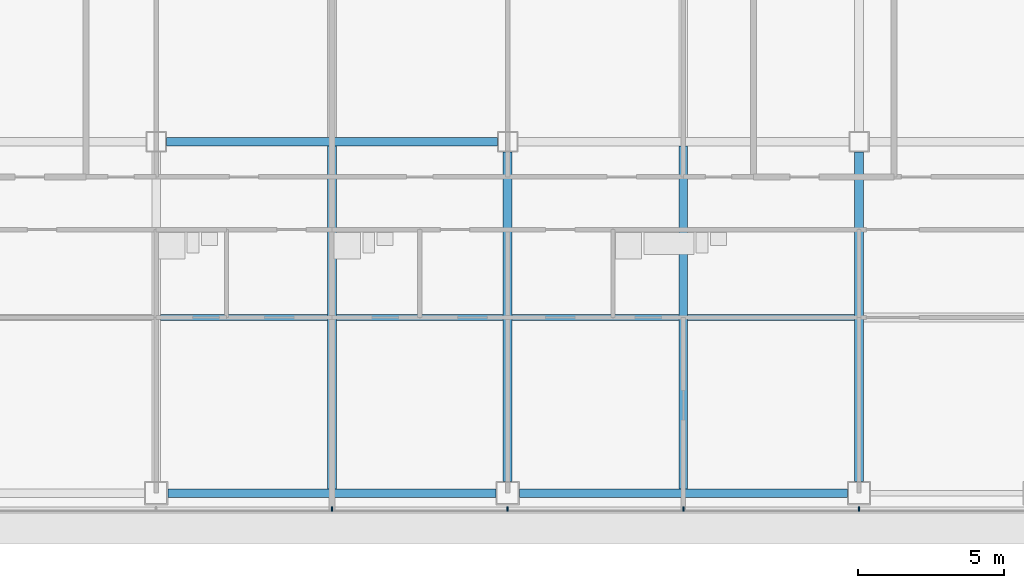
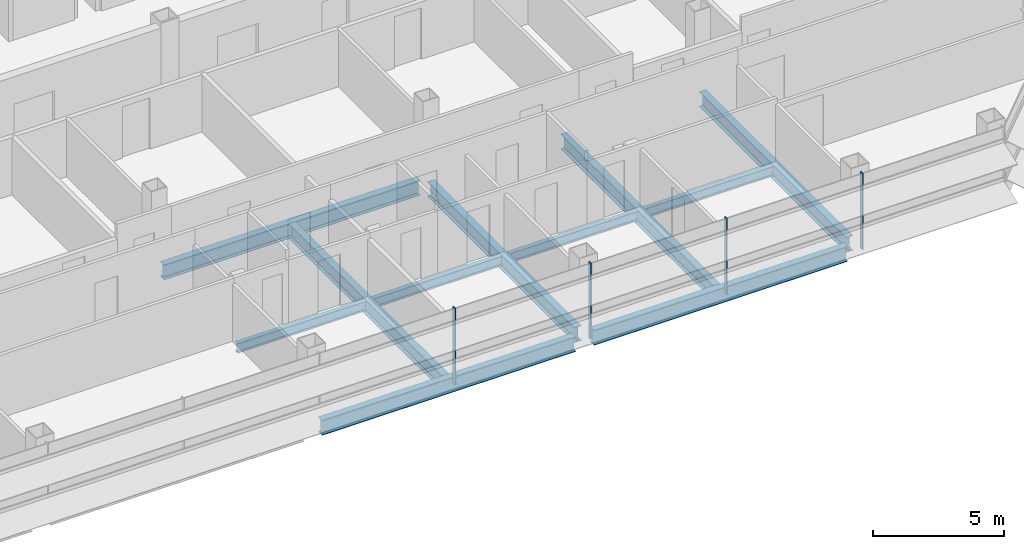
# One storey, part 8 of 26: 11 beams, 4 members, 1 element without a shape of its own.
"""IFC4 building model written with IfcOpenShell, lengths in metres."""

from ifc_helpers import new_model, si_unit, direction, frame, origin, origin_2d, place, context, subcontext, project, spatial, rectangle, i_section, extrude, material, material_profile, profile_set, type_object, element, aggregate, save


model = new_model("IFC4")

# Units and contexts
model_context = context("Model", 3, precision=1e-05, world=origin(), true_north=direction((0.0, 1.0)))
body_context = subcontext(model_context, "Body", "Model", "MODEL_VIEW")
ifc_project = project(units=[si_unit("LENGTHUNIT", "METRE"), si_unit("AREAUNIT", "SQUARE_METRE"), si_unit("VOLUMEUNIT", "CUBIC_METRE"), si_unit("PLANEANGLEUNIT", "RADIAN"), si_unit("MASSUNIT", "GRAM", prefix="KILO")], contexts=[model_context])

# Site, building, storey
site_placement = place(None, origin())
site = spatial("IfcSite", under=ifc_project, at=site_placement, CompositionType="ELEMENT")
building_placement = place(site_placement, origin())
building = spatial("IfcBuilding", under=site, at=building_placement, Name="Sorahane Residences", CompositionType="ELEMENT")
storey_placement = place(building_placement, frame((0.0, 0.0, 110.60009765625)))
storey = spatial("IfcBuildingStorey", under=building, at=storey_placement, Name="L24", CompositionType="ELEMENT", Elevation=110.60009765625)

# Curtain wall, members
ifc_material_1 = material(Name="Dark low-e glass and black anodised aluminium", Category="aluminium")
curtain_wall_type = type_object("IfcCurtainWallType", Name="Curtain wall CW-1 Typical unitised wall", PredefinedType="NOTDEFINED", material=ifc_material_1)
curtain_wall_placement = place(storey_placement, origin())
curtain_wall = element("IfcCurtainWall", 1, at=curtain_wall_placement, inside=storey, type_object=curtain_wall_type, Name="CW-1 curtain wall L24 S1", PredefinedType="NOTDEFINED")
ifc_material_2 = material(Name="Black anodised aluminium", Category="aluminium")
ifc_material_profile_1 = material_profile(ifc_material_2, rectangle(XDim=0.159912109375, YDim=0.050048828125, at=origin_2d()), Name="Curtain wall mullion CW-1 black anodised aluminium 50x160")
ifc_profile_set_1 = profile_set([ifc_material_profile_1], Name="Black anodised aluminium")
member_type = type_object("IfcMemberType", Name="Curtain wall mullion CW-1 black anodised aluminium 50x160", PredefinedType="MULLION", material=ifc_profile_set_1)
member_1_placement = place(storey_placement, frame((30.0, -0.5400390625, -0.18017578125), z_axis=(0.0, 0.0, 1.0), x_axis=(0.0, -1.0, 0.0)))
member_1 = element("IfcMember", 2, at=member_1_placement, type_object=member_type, Name="CW-1 mullion L24 S1.6", PredefinedType="MULLION", context=body_context, shape_type="SweptSolid", body=[
    extrude(rectangle(XDim=0.159912109375, YDim=0.050048828125, at=origin_2d()), origin(), (0.0, 0.0, 1.0), 3.56005859375),
])
member_2_placement = place(storey_placement, frame((36.0, -0.5400390625, -0.18017578125), z_axis=(0.0, 0.0, 1.0), x_axis=(0.0, -1.0, 0.0)))
member_2 = element("IfcMember", 3, at=member_2_placement, type_object=member_type, Name="CW-1 mullion L24 S1.7", PredefinedType="MULLION", context=body_context, shape_type="SweptSolid", body=[
    extrude(rectangle(XDim=0.159912109375, YDim=0.050048828125, at=origin_2d()), origin(), (0.0, 0.0, 1.0), 3.56005859375),
])
member_3_placement = place(storey_placement, frame((42.0, -0.5400390625, -0.18017578125), z_axis=(0.0, 0.0, 1.0), x_axis=(0.0, -1.0, 0.0)))
member_3 = element("IfcMember", 4, at=member_3_placement, type_object=member_type, Name="CW-1 mullion L24 S1.8", PredefinedType="MULLION", context=body_context, shape_type="SweptSolid", body=[
    extrude(rectangle(XDim=0.159912109375, YDim=0.050048828125, at=origin_2d()), origin(), (0.0, 0.0, 1.0), 3.56005859375),
])
member_4_placement = place(storey_placement, frame((48.0, -0.5400390625, -0.18017578125), z_axis=(0.0, 0.0, 1.0), x_axis=(0.0, -1.0, 0.0)))
member_4 = element("IfcMember", 5, at=member_4_placement, type_object=member_type, Name="CW-1 mullion L24 S1.9", PredefinedType="MULLION", context=body_context, shape_type="SweptSolid", body=[
    extrude(rectangle(XDim=0.159912109375, YDim=0.050048828125, at=origin_2d()), origin(), (0.0, 0.0, 1.0), 3.56005859375),
])
aggregate(curtain_wall, [member_1, member_2, member_3, member_4])

# Beams
ifc_material_3 = material(Name="Steel Q355B", Category="steel")
ifc_material_profile_2 = material_profile(ifc_material_3, i_section(OverallWidth=0.199951171875, OverallDepth=0.449951171875, WebThickness=0.009033203125, FlangeThickness=0.013916015625, FilletRadius=0.02001953125, at=origin_2d()), Name="HN 450x200x9x14")
ifc_profile_set_2 = profile_set([ifc_material_profile_2], Name="Steel Q355B")
beam_type_1 = type_object("IfcBeamType", Name="Steel floor beam HN 450x200x9x14 Q355B", PredefinedType="BEAM", material=ifc_profile_set_2)
for number, where, z_axis, x_axis, name in (
    (6, (24.14990234375, 6.0, -0.405029296875), (1.0, 0.0, 0.0), (0.0, 1.0, 0.0), "Beam L24 073"),
    (7, (30.14990234375, 6.0, -0.405029296875), (1.0, 0.0, 0.0), (0.0, 1.0, 0.0), "Beam L24 074"),
    (8, (36.14990234375, 6.0, -0.405029296875), (1.0, 0.0, 0.0), (0.0, 1.0, 0.0), "Beam L24 075"),
    (9, (42.14990234375, 6.0, -0.405029296875), (1.0, 0.0, 0.0), (0.0, 1.0, 0.0), "Beam L24 076"),
):
    element("IfcBeam", number, at=place(storey_placement, frame(where, z_axis=z_axis, x_axis=x_axis)), inside=storey, type_object=beam_type_1, Name=name, PredefinedType="BEAM", context=body_context, shape_type="SweptSolid", body=[
        extrude(i_section(OverallWidth=0.199951171875, OverallDepth=0.449951171875, WebThickness=0.009033203125, FlangeThickness=0.013916015625, FilletRadius=0.02001953125, at=origin_2d()), origin(), (0.0, 0.0, 1.0), 5.7001953125),
    ])
ifc_material_4 = material(Name="Steel Q355B", Category="steel")
ifc_material_profile_3 = material_profile(ifc_material_4, i_section(OverallWidth=0.300048828125, OverallDepth=0.699951171875, WebThickness=0.012939453125, FlangeThickness=0.02392578125, FilletRadius=0.028076171875, at=origin_2d()), Name="HN 700x300x13x24")
ifc_profile_set_3 = profile_set([ifc_material_profile_3], Name="Steel Q355B")
beam_type_2 = type_object("IfcBeamType", Name="Steel floor beam HN 700x300x13x24 Q355B", PredefinedType="BEAM", material=ifc_profile_set_3)
for number, where, z_axis, x_axis, name in (
    (10, (24.39990234375, 0.0, -0.530029296875), (1.0, 0.0, 0.0), (0.0, 1.0, 0.0), "Beam L24 002"),
    (11, (36.39990234375, 0.0, -0.530029296875), (1.0, 0.0, 0.0), (0.0, 1.0, 0.0), "Beam L24 003"),
):
    element("IfcBeam", number, at=place(storey_placement, frame(where, z_axis=z_axis, x_axis=x_axis)), inside=storey, type_object=beam_type_2, Name=name, PredefinedType="BEAM", context=body_context, shape_type="SweptSolid", body=[
        extrude(i_section(OverallWidth=0.300048828125, OverallDepth=0.699951171875, WebThickness=0.012939453125, FlangeThickness=0.02392578125, FilletRadius=0.028076171875, at=origin_2d()), origin(), (0.0, 0.0, 1.0), 11.2001953125),
    ])
beam_1_placement = place(storey_placement, frame((24.35009765625, 12.0, -0.530029296875), z_axis=(1.0, 0.0, 0.0), x_axis=(0.0, 1.0, 0.0)))
element("IfcBeam", 12, at=beam_1_placement, inside=storey, type_object=beam_type_2, Name="Beam L24 008", PredefinedType="BEAM", context=body_context, shape_type="SweptSolid", body=[
    extrude(i_section(OverallWidth=0.300048828125, OverallDepth=0.699951171875, WebThickness=0.012939453125, FlangeThickness=0.02392578125, FilletRadius=0.028076171875, at=origin_2d()), origin(), (0.0, 0.0, 1.0), 11.2998046875),
])
beam_2_placement = place(storey_placement, frame((30.0, 0.14990234375, -0.530029296875), z_axis=(0.0, 1.0, 0.0), x_axis=(-1.0, 0.0, 0.0)))
element("IfcBeam", 13, at=beam_2_placement, inside=storey, type_object=beam_type_2, Name="Beam L24 044", PredefinedType="BEAM", context=body_context, shape_type="SweptSolid", body=[
    extrude(i_section(OverallWidth=0.300048828125, OverallDepth=0.699951171875, WebThickness=0.012939453125, FlangeThickness=0.02392578125, FilletRadius=0.028076171875, at=origin_2d()), origin(), (0.0, 0.0, 1.0), 11.7001953125),
])
beam_3_placement = place(storey_placement, frame((36.0, 0.39990234375, -0.530029296875), z_axis=(0.0, 1.0, 0.0), x_axis=(-1.0, 0.0, 0.0)))
element("IfcBeam", 14, at=beam_3_placement, inside=storey, type_object=beam_type_2, Name="Beam L24 050", PredefinedType="BEAM", context=body_context, shape_type="SweptSolid", body=[
    extrude(i_section(OverallWidth=0.300048828125, OverallDepth=0.699951171875, WebThickness=0.012939453125, FlangeThickness=0.02392578125, FilletRadius=0.028076171875, at=origin_2d()), origin(), (0.0, 0.0, 1.0), 11.25),
])
beam_4_placement = place(storey_placement, frame((42.0, 0.14990234375, -0.530029296875), z_axis=(0.0, 1.0, 0.0), x_axis=(-1.0, 0.0, 0.0)))
element("IfcBeam", 15, at=beam_4_placement, inside=storey, type_object=beam_type_2, Name="Beam L24 052", PredefinedType="BEAM", context=body_context, shape_type="SweptSolid", body=[
    extrude(i_section(OverallWidth=0.300048828125, OverallDepth=0.699951171875, WebThickness=0.012939453125, FlangeThickness=0.02392578125, FilletRadius=0.028076171875, at=origin_2d()), origin(), (0.0, 0.0, 1.0), 11.7001953125),
])
beam_5_placement = place(storey_placement, frame((48.0, 0.39990234375, -0.530029296875), z_axis=(0.0, 1.0, 0.0), x_axis=(-1.0, 0.0, 0.0)))
element("IfcBeam", 16, at=beam_5_placement, inside=storey, type_object=beam_type_2, Name="Beam L24 058", PredefinedType="BEAM", context=body_context, shape_type="SweptSolid", body=[
    extrude(i_section(OverallWidth=0.300048828125, OverallDepth=0.699951171875, WebThickness=0.012939453125, FlangeThickness=0.02392578125, FilletRadius=0.028076171875, at=origin_2d()), origin(), (0.0, 0.0, 1.0), 11.25),
])

save(model, "model.ifc")
